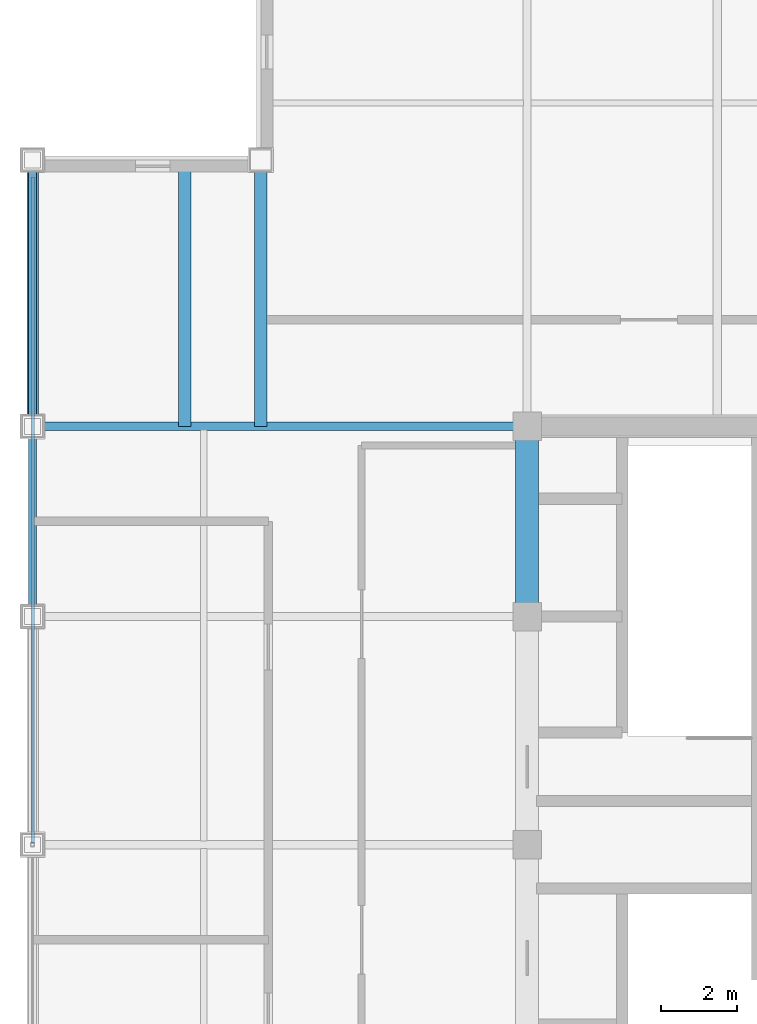
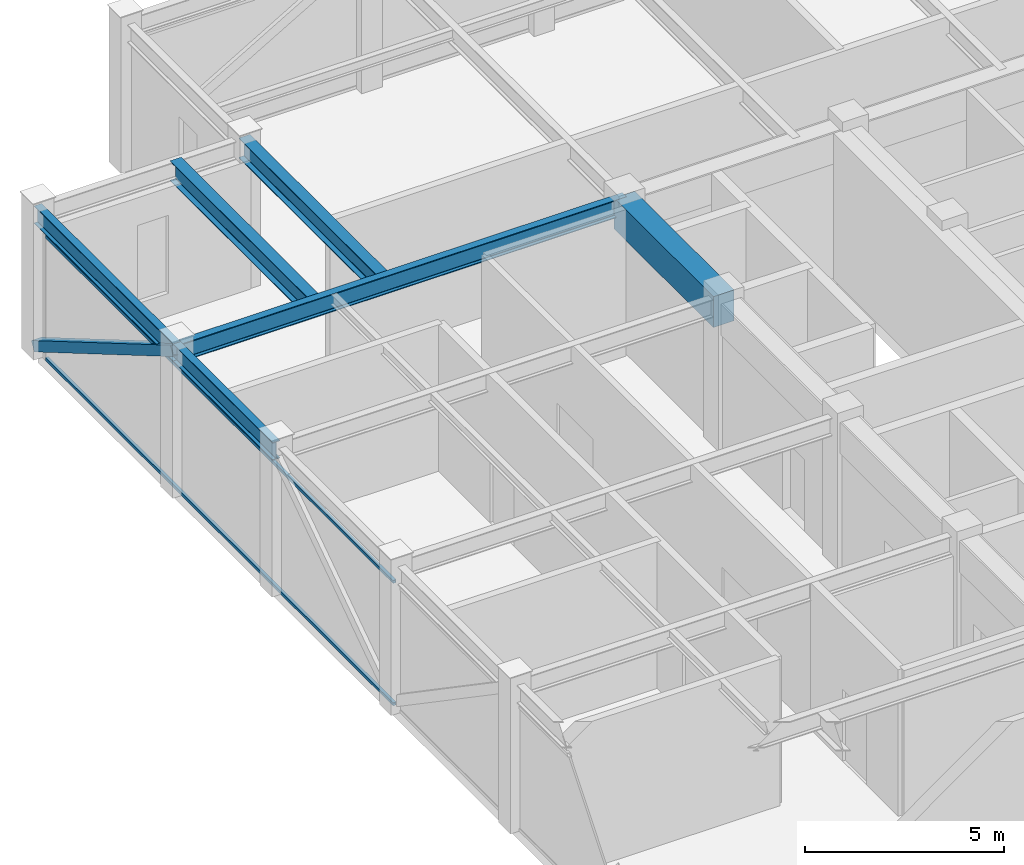
# One storey, part 13 of 27: 6 beams, 3 members, 1 element without a shape of its own.
"""IFC4 building model written with IfcOpenShell, lengths in metres."""

from ifc_helpers import new_model, si_unit, direction, frame, origin, origin_2d, place, context, subcontext, project, spatial, rectangle, hollow_rectangle, i_section, extrude, source, transform, mapped, material, material_profile, profile_set, type_object, element, aggregate, save


model = new_model("IFC4")

# Units and contexts
model_context = context("Model", 3, precision=1e-05, world=origin(), true_north=direction((0.0, 1.0)))
body_context = subcontext(model_context, "Body", "Model", "MODEL_VIEW")
ifc_project = project(units=[si_unit("LENGTHUNIT", "METRE"), si_unit("AREAUNIT", "SQUARE_METRE"), si_unit("VOLUMEUNIT", "CUBIC_METRE"), si_unit("PLANEANGLEUNIT", "RADIAN"), si_unit("MASSUNIT", "GRAM", prefix="KILO")], contexts=[model_context])

# Site, building, storey
site_placement = place(None, origin())
site = spatial("IfcSite", under=ifc_project, at=site_placement, CompositionType="ELEMENT")
building_placement = place(site_placement, origin())
building = spatial("IfcBuilding", under=site, at=building_placement, Name="Khorayat Bourse Tower", CompositionType="ELEMENT")
storey_placement = place(building_placement, frame((0.0, 0.0, 399.5)))
storey = spatial("IfcBuildingStorey", under=building, at=storey_placement, Name="L94", CompositionType="ELEMENT", Elevation=399.5)

# Beams
ifc_material_1 = material(Name="Concrete C60/75", Category="concrete")
ifc_material_profile_1 = material_profile(ifc_material_1, rectangle(XDim=0.60009765625, YDim=0.949951171875, at=origin_2d()), Name="RC 600x950")
ifc_profile_set_1 = profile_set([ifc_material_profile_1], Name="Concrete C60/75")
beam_type_1 = type_object("IfcBeamType", Name="BM-COUP-950", PredefinedType="BEAM", material=ifc_profile_set_1)
shared_shape_1 = source(origin(), body_context, "Body", "SweptSolid", [
    extrude(rectangle(XDim=0.60009765625, YDim=0.949951171875, at=origin_2d()), origin(), (0.0, 0.0, 1.0), 5.0),
])
beam_1_placement = place(storey_placement, frame((-11.0, 6.0, 4.02490234375), z_axis=(0.0, 1.0, 0.0), x_axis=(-1.0, 0.0, 0.0)))
element("IfcBeam", 1, at=beam_1_placement, inside=storey, type_object=beam_type_1, Name="L94 BM-COUP-950 BM-L94-CRX-04", PredefinedType="BEAM", context=body_context, shape_type="MappedRepresentation", body=[
    mapped(shared_shape_1, transform((0.0, 0.0, 0.0), scale=1.0)),
])
ifc_material_2 = material(Name="Steel ASTM A992 Grade 50", Category="steel")
ifc_material_profile_2 = material_profile(ifc_material_2, i_section(OverallWidth=0.214111328125, OverallDepth=0.549072265625, WebThickness=0.0146484375, FlangeThickness=0.023681640625, FilletRadius=0.013916015625, at=origin_2d()), Name="W530X138")
ifc_profile_set_2 = profile_set([ifc_material_profile_2], Name="Steel ASTM A992 Grade 50")
beam_type_2 = type_object("IfcBeamType", Name="BM-SPAN-530", PredefinedType="SPANDREL", material=ifc_profile_set_2)
shared_shape_2 = source(origin(), body_context, "Body", "SweptSolid", [
    extrude(i_section(OverallWidth=0.214111328125, OverallDepth=0.549072265625, WebThickness=0.0146484375, FlangeThickness=0.023681640625, FilletRadius=0.013916015625, at=origin_2d()), origin(), (0.0, 0.0, 1.0), 5.0),
])
beam_2_placement = place(storey_placement, frame((-24.0, 6.0, 4.2255859375), z_axis=(0.0, 1.0, 0.0), x_axis=(-1.0, 0.0, 0.0)))
element("IfcBeam", 2, at=beam_2_placement, inside=storey, type_object=beam_type_2, Name="L94 BM-SPAN-530 BM-L94-SPN-049", PredefinedType="SPANDREL", context=body_context, shape_type="MappedRepresentation", body=[
    mapped(shared_shape_2, transform((0.0, 0.0, 0.0), scale=1.0)),
])
shared_shape_3 = source(origin(), body_context, "Body", "SweptSolid", [
    extrude(i_section(OverallWidth=0.214111328125, OverallDepth=0.549072265625, WebThickness=0.0146484375, FlangeThickness=0.023681640625, FilletRadius=0.013916015625, at=origin_2d()), origin(), (0.0, 0.0, 1.0), 7.0),
])
beam_3_placement = place(storey_placement, frame((-24.0, 11.0, 4.2255859375), z_axis=(0.0, 1.0, 0.0), x_axis=(-1.0, 0.0, 0.0)))
element("IfcBeam", 3, at=beam_3_placement, inside=storey, type_object=beam_type_2, Name="L94 BM-SPAN-530 BM-L94-SPN-048", PredefinedType="SPANDREL", context=body_context, shape_type="MappedRepresentation", body=[
    mapped(shared_shape_3, transform((0.0, 0.0, 0.0), scale=1.0)),
])
ifc_material_profile_3 = material_profile(ifc_material_2, i_section(OverallWidth=0.214111328125, OverallDepth=0.549072265625, WebThickness=0.0146484375, FlangeThickness=0.023681640625, FilletRadius=0.013916015625, at=origin_2d()), Name="W530X138")
ifc_profile_set_3 = profile_set([ifc_material_profile_3], Name="Steel ASTM A992 Grade 50")
beam_type_3 = type_object("IfcBeamType", Name="BM-GIRD-530", PredefinedType="BEAM", material=ifc_profile_set_3)
shared_shape_4 = source(origin(), body_context, "Body", "SweptSolid", [
    extrude(i_section(OverallWidth=0.214111328125, OverallDepth=0.549072265625, WebThickness=0.0146484375, FlangeThickness=0.023681640625, FilletRadius=0.013916015625, at=origin_2d()), origin(), (0.0, 0.0, 1.0), 13.0),
])
beam_4_placement = place(storey_placement, frame((-24.0, 11.0, 4.2255859375), z_axis=(1.0, 0.0, 0.0), x_axis=(0.0, 1.0, 0.0)))
element("IfcBeam", 4, at=beam_4_placement, inside=storey, type_object=beam_type_3, Name="L94 BM-GIRD-530 BM-L94-RADX-075", PredefinedType="BEAM", context=body_context, shape_type="MappedRepresentation", body=[
    mapped(shared_shape_4, transform((0.0, 0.0, 0.0), scale=1.0)),
])
ifc_material_profile_4 = material_profile(ifc_material_2, i_section(OverallWidth=0.324951171875, OverallDepth=0.615966796875, WebThickness=0.013916015625, FlangeThickness=0.021484375, FilletRadius=0.01611328125, at=origin_2d()), Name="W610X174")
ifc_profile_set_4 = profile_set([ifc_material_profile_4], Name="Steel ASTM A992 Grade 50")
beam_type_4 = type_object("IfcBeamType", Name="BM-GIRD-610", PredefinedType="BEAM", material=ifc_profile_set_4)
shared_shape_5 = source(origin(), body_context, "Body", "SweptSolid", [
    extrude(i_section(OverallWidth=0.324951171875, OverallDepth=0.615966796875, WebThickness=0.013916015625, FlangeThickness=0.021484375, FilletRadius=0.01611328125, at=origin_2d()), origin(), (0.0, 0.0, 1.0), 7.0),
])
for number, where, z_axis, x_axis, name in (
    (5, (-18.0, 11.0, 4.19189453125), (0.0, 1.0, 0.0), (-1.0, 0.0, 0.0), "L94 BM-GIRD-610 BM-L94-CNRY-077"),
    (6, (-20.0, 11.0, 4.19189453125), (0.0, 1.0, 0.0), (-1.0, 0.0, 0.0), "L94 BM-GIRD-610 BM-L94-CNRY-081"),
):
    element("IfcBeam", number, at=place(storey_placement, frame(where, z_axis=z_axis, x_axis=x_axis)), inside=storey, type_object=beam_type_4, Name=name, PredefinedType="BEAM", context=body_context, shape_type="MappedRepresentation", body=[
        mapped(shared_shape_5, transform((0.0, 0.0, 0.0), scale=1.0)),
    ])

# Member
ifc_material_3 = material(Name="Steel EN 10025-2 S355J2", Category="steel")
ifc_material_profile_5 = material_profile(ifc_material_3, hollow_rectangle(XDim=0.300048828125, YDim=0.300048828125, WallThickness=0.01611328125, at=origin_2d()), Name="HSS 300x300x16")
ifc_profile_set_5 = profile_set([ifc_material_profile_5], Name="Steel EN 10025-2 S355J2")
member_type_1 = type_object("IfcMemberType", Name="MBR-CROWN-300", PredefinedType="USERDEFINED", material=ifc_profile_set_5)
shared_shape_6 = source(origin(), body_context, "Body", "SweptSolid", [
    extrude(hollow_rectangle(XDim=0.300048828125, YDim=0.300048828125, WallThickness=0.01611328125, at=origin_2d()), origin(), (0.0, 0.0, 1.0), 8.1123046875),
])
member_1_placement = place(storey_placement, frame((-24.0, 11.0, 4.300048828125), z_axis=(0.0, 0.862878111278, -0.505412074526), x_axis=(-1.0, 0.0, 0.0)))
element("IfcMember", 7, at=member_1_placement, inside=storey, type_object=member_type_1, Name="L94 Lantern Crown Frame Member 12", ObjectType="CROWN FRAME", PredefinedType="USERDEFINED", context=body_context, shape_type="MappedRepresentation", body=[
    mapped(shared_shape_6, transform((0.0, 0.0, 0.0), scale=1.0)),
])

# Curtain wall, members
ifc_material_4 = material(Name="Aluminium EN AW-6063 T6", Category="aluminium")
curtain_wall_type = type_object("IfcCurtainWallType", Name="CW-SYS-07", PredefinedType="NOTDEFINED", material=ifc_material_4)
curtain_wall_placement = place(storey_placement, origin())
curtain_wall = element("IfcCurtainWall", 8, at=curtain_wall_placement, inside=storey, type_object=curtain_wall_type, Name="L94 Curtain Wall CW-L94-W1", PredefinedType="NOTDEFINED")
ifc_material_profile_6 = material_profile(ifc_material_4, hollow_rectangle(XDim=0.090087890625, YDim=0.090087890625, WallThickness=0.00390625, at=origin_2d()), Name="ALU 90x90x4")
ifc_profile_set_6 = profile_set([ifc_material_profile_6], Name="Aluminium EN AW-6063 T6")
member_type_2 = type_object("IfcMemberType", Name="CWT-HORZ-90", PredefinedType="USERDEFINED", material=ifc_profile_set_6)
shared_shape_7 = source(origin(), body_context, "Body", "SweptSolid", [
    extrude(hollow_rectangle(XDim=0.090087890625, YDim=0.090087890625, WallThickness=0.00390625, at=origin_2d()), origin(), (0.0, 0.0, 1.0), 17.5),
])
member_2_placement = place(storey_placement, frame((-24.0, 0.050048828125, 0.044921875), z_axis=(0.0, 1.0, 0.0), x_axis=(-1.0, 0.0, 0.0)))
member_2 = element("IfcMember", 9, at=member_2_placement, type_object=member_type_2, Name="CW-L94-W1 Horizontal Transom 2-1", ObjectType="TRANSOM", PredefinedType="USERDEFINED", context=body_context, shape_type="MappedRepresentation", body=[
    mapped(shared_shape_7, transform((0.0, 0.0, 0.0), scale=1.0)),
])
member_3_placement = place(storey_placement, frame((-24.0, 0.050048828125, 3.804931640625), z_axis=(0.0, 1.0, 0.0), x_axis=(-1.0, 0.0, 0.0)))
member_3 = element("IfcMember", 10, at=member_3_placement, type_object=member_type_2, Name="CW-L94-W1 Horizontal Transom 2-2", ObjectType="TRANSOM", PredefinedType="USERDEFINED", context=body_context, shape_type="MappedRepresentation", body=[
    mapped(shared_shape_7, transform((0.0, 0.0, 0.0), scale=1.0)),
])
aggregate(curtain_wall, [member_2, member_3])

save(model, "model.ifc")
